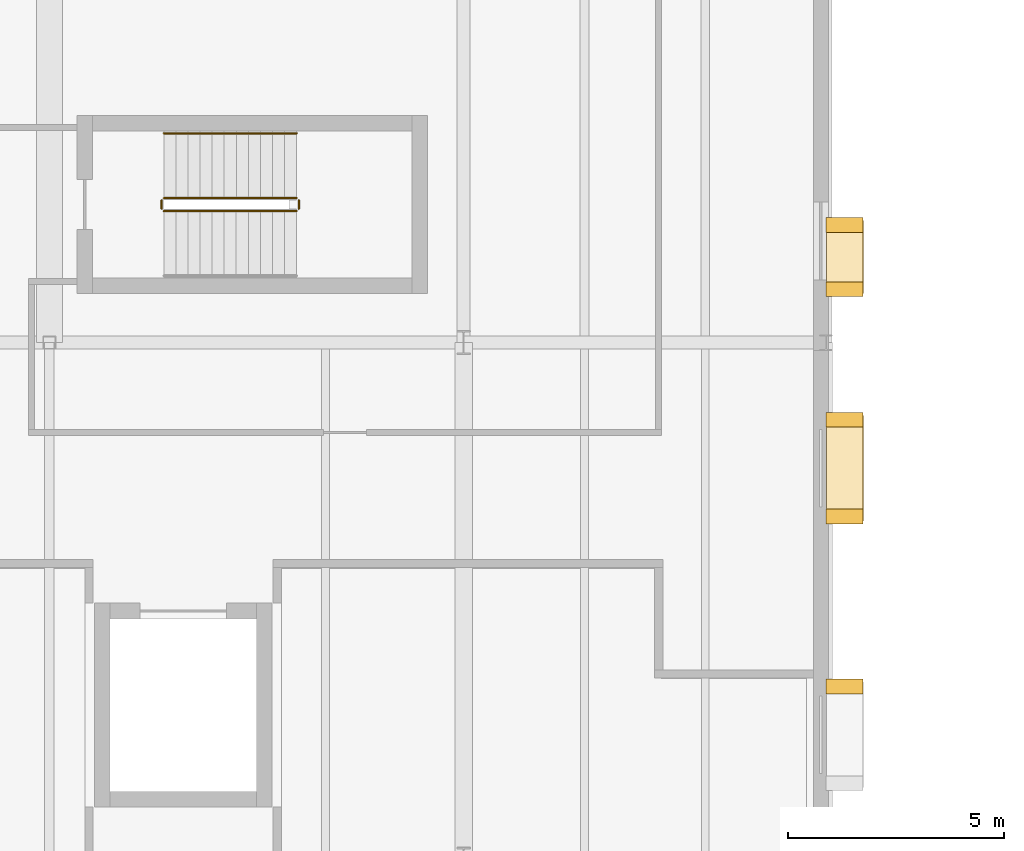
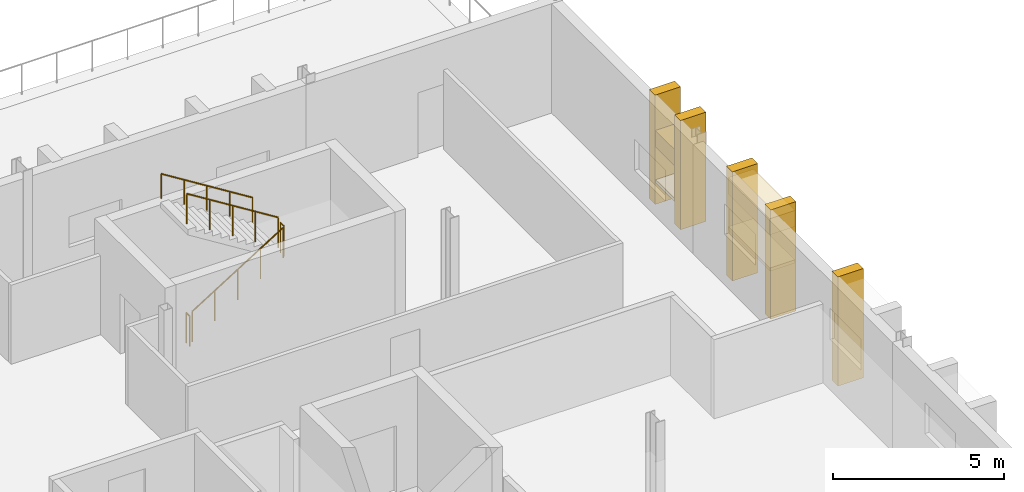
# One storey, part 50 of 57: 9 coverings, 5 railings.
"""IFC4 building model written with IfcOpenShell, lengths in metres."""

from ifc_helpers import new_model, si_unit, direction, frame, origin, origin_2d, place, context, subcontext, project, spatial, rectangle, circle, extrude, material, layer, layer_set, type_object, element, save


model = new_model("IFC4")

# Units and contexts
model_context = context("Model", 3, precision=1e-05, world=origin(), true_north=direction((0.0, 1.0)))
body_context = subcontext(model_context, "Body", "Model", "MODEL_VIEW")
ifc_project = project(units=[si_unit("LENGTHUNIT", "METRE"), si_unit("AREAUNIT", "SQUARE_METRE"), si_unit("VOLUMEUNIT", "CUBIC_METRE"), si_unit("PLANEANGLEUNIT", "RADIAN"), si_unit("MASSUNIT", "GRAM", prefix="KILO")], contexts=[model_context])

# Site, building, storey
site_placement = place(None, origin())
site = spatial("IfcSite", under=ifc_project, at=site_placement, CompositionType="ELEMENT")
building_placement = place(site_placement, origin())
building = spatial("IfcBuilding", under=site, at=building_placement, Name="Zereglee Splitstone Museum", CompositionType="ELEMENT")
storey_placement = place(building_placement, frame((0.0, 0.0, 17.10009765625)))
storey = spatial("IfcBuildingStorey", under=building, at=storey_placement, Name="L03", CompositionType="ELEMENT", Elevation=17.10009765625)

# Coverings
ifc_material_1 = material(Name="Honed Gobi pale limestone stringcourse and soffit cladding", Category="masonry")
ifc_layer_1 = layer(ifc_material_1, 0.070068359375)
ifc_layer_set_1 = layer_set([ifc_layer_1], Name="Honed Gobi pale limestone stringcourse and soffit cladding")
covering_type_1 = type_object("IfcCoveringType", Name="CL-02", PredefinedType="CLADDING", material=ifc_layer_set_1)
for number, where, z_axis, x_axis, name in (
    (1, (48.425048828125, 13.6298828125, 0.0), (0.0, 0.0, 1.0), (0.0, 1.0, 0.0), "Mughal Window Reveal Stone Pilaster L03-0120R"),
    (2, (48.425048828125, 17.570068359375, 0.0), (0.0, 0.0, 1.0), (0.0, 1.0, 0.0), "Mughal Window Reveal Stone Pilaster L03-0121L"),
    (3, (48.425048828125, 19.81005859375, 0.0), (0.0, 0.0, 1.0), (0.0, 1.0, 0.0), "Mughal Window Reveal Stone Pilaster L03-0121R"),
):
    element("IfcCovering", number, at=place(storey_placement, frame(where, z_axis=z_axis, x_axis=x_axis)), inside=storey, type_object=covering_type_1, Name=name, PredefinedType="CLADDING", context=body_context, shape_type="SweptSolid", body=[
        extrude(rectangle(XDim=0.340087890625, YDim=0.860107421875, at=origin_2d()), origin(), (0.0, 0.0, 1.0), 3.89990234375),
    ])
covering_1_placement = place(storey_placement, frame((48.43505859375, 18.68994140625, 1.659912109375), z_axis=(0.0, 0.0, 1.0), x_axis=(0.0, 1.0, 0.0)))
element("IfcCovering", 4, at=covering_1_placement, inside=storey, type_object=covering_type_1, Name="Carved Limestone Window Sill L03-0121", PredefinedType="CLADDING", context=body_context, shape_type="SweptSolid", body=[
    extrude(rectangle(XDim=2.43994140625, YDim=0.840087890625, at=origin_2d()), origin(), (0.0, 0.0, 1.0), 0.1201171875),
])
for number, where, z_axis, x_axis, name in (
    (5, (48.425048828125, 22.8349609375, 0.0), (0.0, 0.0, 1.0), (0.0, 1.0, 0.0), "Mughal Window Reveal Stone Pilaster L03-0122L"),
    (6, (48.425048828125, 24.324951171875, 0.0), (0.0, 0.0, 1.0), (0.0, 1.0, 0.0), "Mughal Window Reveal Stone Pilaster L03-0122R"),
):
    element("IfcCovering", number, at=place(storey_placement, frame(where, z_axis=z_axis, x_axis=x_axis)), inside=storey, type_object=covering_type_1, Name=name, PredefinedType="CLADDING", context=body_context, shape_type="SweptSolid", body=[
        extrude(rectangle(XDim=0.340087890625, YDim=0.860107421875, at=origin_2d()), origin(), (0.0, 0.0, 1.0), 3.89990234375),
    ])
covering_2_placement = place(storey_placement, frame((48.43505859375, 23.580078125, 0.759765625), z_axis=(0.0, 0.0, 1.0), x_axis=(0.0, 1.0, 0.0)))
element("IfcCovering", 7, at=covering_2_placement, inside=storey, type_object=covering_type_1, Name="Carved Limestone Window Sill L03-0122", PredefinedType="CLADDING", context=body_context, shape_type="SweptSolid", body=[
    extrude(rectangle(XDim=1.68994140625, YDim=0.840087890625, at=origin_2d()), origin(), (0.0, 0.0, 1.0), 0.1201171875),
])
ifc_material_2 = material(Name="Honed Khoroo red sandstone ventilated rainscreen", Category="masonry")
ifc_layer_2 = layer(ifc_material_2, 0.080078125)
ifc_layer_set_2 = layer_set([ifc_layer_2], Name="Honed Khoroo red sandstone ventilated rainscreen")
covering_type_2 = type_object("IfcCoveringType", Name="CL-01", PredefinedType="CLADDING", material=ifc_layer_set_2)
covering_3_placement = place(storey_placement, frame((48.43505859375, 18.68994140625, 2.9599609375), z_axis=(0.0, 0.0, 1.0), x_axis=(0.0, 1.0, 0.0)))
element("IfcCovering", 8, at=covering_3_placement, inside=storey, type_object=covering_type_2, Name="Pointed-Arch Mughal Window Hood L03-0121", PredefinedType="CLADDING", context=body_context, shape_type="SweptSolid", body=[
    extrude(rectangle(XDim=2.43994140625, YDim=0.860107421875, at=origin_2d()), origin(), (0.0, 0.0, 1.0), 0.580078125),
])
covering_4_placement = place(storey_placement, frame((48.43505859375, 23.580078125, 2.059814453125), z_axis=(0.0, 0.0, 1.0), x_axis=(0.0, 1.0, 0.0)))
element("IfcCovering", 9, at=covering_4_placement, inside=storey, type_object=covering_type_2, Name="Pointed-Arch Mughal Window Hood L03-0122", PredefinedType="CLADDING", context=body_context, shape_type="SweptSolid", body=[
    extrude(rectangle(XDim=1.68994140625, YDim=0.860107421875, at=origin_2d()), origin(), (0.0, 0.0, 1.0), 0.580078125),
])

# Railings
ifc_material_3 = material(Name="Painted steel S355J2 post-and-baluster guard", Category="steel")
railing_type_1 = type_object("IfcRailingType", Name="GR-03", PredefinedType="BALUSTRADE", material=ifc_material_3)
railing_1_placement = place(storey_placement, frame((32.64990234375, 24.64990234375, 0.1748046875)))
element("IfcRailing", 10, at=railing_1_placement, inside=storey, type_object=railing_type_1, Name="L03 ST-02 stair guard 1", PredefinedType="BALUSTRADE", context=body_context, shape_type="SweptSolid", body=[
    extrude(circle(Radius=0.02392578125, at=origin_2d()), frame((0.0, 0.0, 1.076416015625), z_axis=(0.847998304005, 0.0, 0.529998940003), x_axis=(0.0, 1.0, 0.0)), (0.0, 0.0, 1.0), 3.632080078125),
    extrude(circle(Radius=0.02099609375, at=origin_2d()), origin(), (0.0, 0.0, 1.0), 1.052001953125),
    extrude(circle(Radius=0.02099609375, at=origin_2d()), frame((0.77001953125, 0.0, 0.481201171875)), (0.0, 0.0, 1.0), 1.052001953125),
    extrude(circle(Radius=0.02099609375, at=origin_2d()), frame((1.5400390625, 0.0, 0.96240234375)), (0.0, 0.0, 1.0), 1.052001953125),
    extrude(circle(Radius=0.02099609375, at=origin_2d()), frame((2.31005859375, 0.0, 1.44384765625)), (0.0, 0.0, 1.0), 1.052001953125),
    extrude(circle(Radius=0.02099609375, at=origin_2d()), frame((3.080078125, 0.0, 1.925048828125)), (0.0, 0.0, 1.0), 1.052001953125),
])
railing_2_placement = place(storey_placement, frame((35.780029296875, 24.699951171875, 2.099853515625)))
element("IfcRailing", 11, at=railing_2_placement, inside=storey, type_object=railing_type_1, Name="L03 ST-02 stair guard 2", PredefinedType="BALUSTRADE", context=body_context, shape_type="SweptSolid", body=[
    extrude(circle(Radius=0.02392578125, at=origin_2d()), frame((0.0, 0.0, 1.076416015625), z_axis=(0.0, 1.0, 0.0), x_axis=(-1.0, 0.0, 0.0)), (0.0, 0.0, 1.0), 0.199951171875),
    extrude(circle(Radius=0.02099609375, at=origin_2d()), origin(), (0.0, 0.0, 1.0), 1.052001953125),
    extrude(circle(Radius=0.02099609375, at=origin_2d()), frame((0.0, 0.199951171875, 0.0)), (0.0, 0.0, 1.0), 1.052001953125),
])
railing_3_placement = place(storey_placement, frame((35.72998046875, 24.949951171875, 2.27490234375)))
element("IfcRailing", 12, at=railing_3_placement, inside=storey, type_object=railing_type_1, Name="L03 ST-02 stair guard 3", PredefinedType="BALUSTRADE", context=body_context, shape_type="SweptSolid", body=[
    extrude(circle(Radius=0.02392578125, at=origin_2d()), frame((0.0, 0.0, 1.076416015625), z_axis=(-0.847998304005, 0.0, 0.529998940003), x_axis=(0.0, -1.0, 0.0)), (0.0, 0.0, 1.0), 3.632080078125),
    extrude(circle(Radius=0.02099609375, at=origin_2d()), origin(), (0.0, 0.0, 1.0), 1.052001953125),
    extrude(circle(Radius=0.02099609375, at=origin_2d()), frame((-0.77001953125, 0.0, 0.481201171875)), (0.0, 0.0, 1.0), 1.052001953125),
    extrude(circle(Radius=0.02099609375, at=origin_2d()), frame((-1.5400390625, 0.0, 0.96240234375)), (0.0, 0.0, 1.0), 1.052001953125),
    extrude(circle(Radius=0.02099609375, at=origin_2d()), frame((-2.31005859375, 0.0, 1.44384765625)), (0.0, 0.0, 1.0), 1.052001953125),
    extrude(circle(Radius=0.02099609375, at=origin_2d()), frame((-3.080078125, 0.0, 1.925048828125)), (0.0, 0.0, 1.0), 1.052001953125),
])
railing_4_placement = place(storey_placement, frame((32.60009765625, 24.699951171875, 0.0)))
element("IfcRailing", 13, at=railing_4_placement, inside=storey, type_object=railing_type_1, Name="L03 ST-02 stair guard 4", PredefinedType="BALUSTRADE", context=body_context, shape_type="SweptSolid", body=[
    extrude(circle(Radius=0.02392578125, at=origin_2d()), frame((0.0, 0.0, 1.076416015625), z_axis=(0.0, 1.0, 0.0), x_axis=(-1.0, 0.0, 0.0)), (0.0, 0.0, 1.0), 0.199951171875),
    extrude(circle(Radius=0.02099609375, at=origin_2d()), origin(), (0.0, 0.0, 1.0), 1.052001953125),
    extrude(circle(Radius=0.02099609375, at=origin_2d()), frame((0.0, 0.199951171875, 0.0)), (0.0, 0.0, 1.0), 1.052001953125),
])
ifc_material_4 = material(Name="Architectural bronze tubular handrail", Category="steel")
railing_type_2 = type_object("IfcRailingType", Name="HR-01", PredefinedType="HANDRAIL", material=ifc_material_4)
railing_5_placement = place(storey_placement, frame((35.72998046875, 26.449951171875, 2.27490234375)))
element("IfcRailing", 14, at=railing_5_placement, inside=storey, type_object=railing_type_2, Name="L03 ST-02 stair handrail 2", PredefinedType="HANDRAIL", context=body_context, shape_type="SweptSolid", body=[
    extrude(circle(Radius=0.02392578125, at=origin_2d()), frame((0.0, 0.0, 0.8759765625), z_axis=(-0.847998304005, 0.0, 0.529998940003), x_axis=(0.0, -1.0, 0.0)), (0.0, 0.0, 1.0), 3.632080078125),
    extrude(circle(Radius=0.02099609375, at=origin_2d()), origin(), (0.0, 0.0, 1.0), 0.851806640625),
    extrude(circle(Radius=0.02099609375, at=origin_2d()), frame((-0.77001953125, 0.0, 0.481201171875)), (0.0, 0.0, 1.0), 0.851806640625),
    extrude(circle(Radius=0.02099609375, at=origin_2d()), frame((-1.5400390625, 0.0, 0.96240234375)), (0.0, 0.0, 1.0), 0.851806640625),
    extrude(circle(Radius=0.02099609375, at=origin_2d()), frame((-2.31005859375, 0.0, 1.44384765625)), (0.0, 0.0, 1.0), 0.851806640625),
    extrude(circle(Radius=0.02099609375, at=origin_2d()), frame((-3.080078125, 0.0, 1.925048828125)), (0.0, 0.0, 1.0), 0.851806640625),
])

save(model, "model.ifc")
